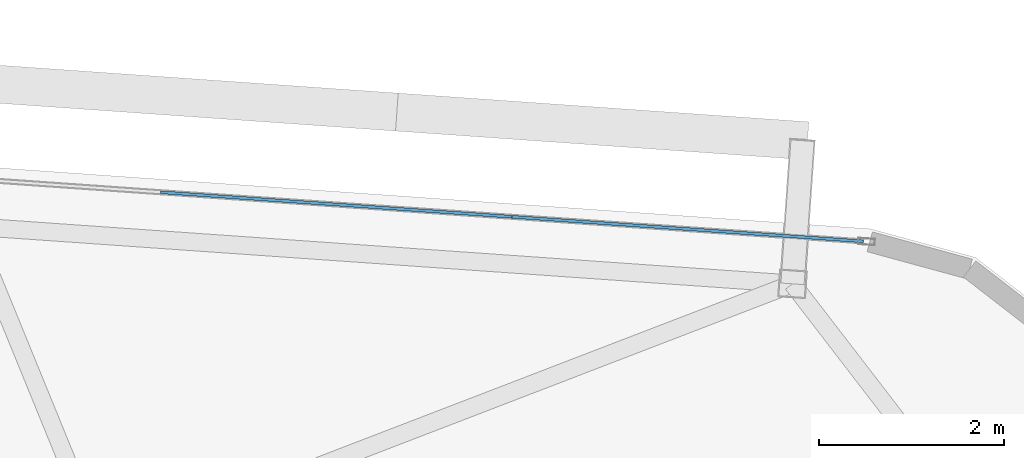
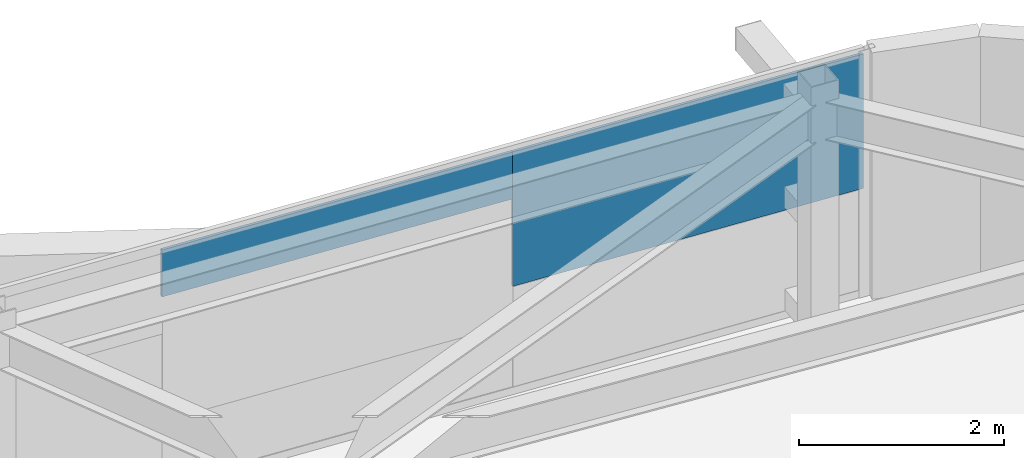
# One storey, part 26 of 39: 2 plates, 1 element without a shape of its own.
"""IFC4 building model written with IfcOpenShell, lengths in metres."""

from ifc_helpers import new_model, si_unit, direction, frame, origin, origin_2d, place, context, subcontext, project, spatial, rectangle, extrude, source, transform, mapped, material, layer, layer_set, type_object, element, aggregate, save


model = new_model("IFC4")

# Units and contexts
model_context = context("Model", 3, precision=1e-05, world=origin(), true_north=direction((0.0, 1.0)))
body_context = subcontext(model_context, "Body", "Model", "MODEL_VIEW")
ifc_project = project(units=[si_unit("LENGTHUNIT", "METRE"), si_unit("AREAUNIT", "SQUARE_METRE"), si_unit("VOLUMEUNIT", "CUBIC_METRE"), si_unit("PLANEANGLEUNIT", "RADIAN"), si_unit("MASSUNIT", "GRAM", prefix="KILO")], contexts=[model_context])

# Site, building, storey
site_placement = place(None, origin())
site = spatial("IfcSite", under=ifc_project, at=site_placement, CompositionType="ELEMENT")
building_placement = place(site_placement, origin())
building = spatial("IfcBuilding", under=site, at=building_placement, Name="Taldren Reach Tower", CompositionType="ELEMENT")
storey_placement = place(building_placement, frame((0.0, 0.0, 155.050048828125)))
storey = spatial("IfcBuildingStorey", under=building, at=storey_placement, Name="L47", CompositionType="ELEMENT", Elevation=155.050048828125)

# Curtain wall, plates
ifc_material_1 = material(Name="Aluminium and Low-E Glass Unitised System", Category="aluminium")
ifc_layer_1 = layer(ifc_material_1, 0.159912109375)
ifc_layer_set_1 = layer_set([ifc_layer_1], Name="Aluminium and Low-E Glass Unitised System")
curtain_wall_type = type_object("IfcCurtainWallType", Name="CW-SYS-4", PredefinedType="NOTDEFINED", material=ifc_layer_set_1)
curtain_wall_placement = place(storey_placement, origin())
curtain_wall = element("IfcCurtainWall", 1, at=curtain_wall_placement, inside=storey, type_object=curtain_wall_type, Name="Unitised curtain wall CW-L47-N", PredefinedType="NOTDEFINED")
ifc_material_2 = material(Name="Solar-Control Double Glazed IGU", Category="glass")
ifc_layer_2 = layer(ifc_material_2, 0.031982421875)
ifc_layer_set_2 = layer_set([ifc_layer_2], Name="Solar-Control Double Glazed IGU")
plate_type = type_object("IfcPlateType", Name="CW-PNL-IGU32", PredefinedType="CURTAIN_PANEL", material=ifc_layer_set_2)
shared_shape_1 = source(origin(), body_context, "Body", "SweptSolid", [
    extrude(rectangle(XDim=3.79833984375, YDim=0.031982421875, at=origin_2d()), origin(), (0.0, 0.0, 1.0), 1.597900390625),
])
plate_1_placement = place(storey_placement, frame((57.3056640625, 35.451904296875, 1.27685546875), z_axis=(0.0, 0.0, 1.0), x_axis=(-0.99756404731, 0.06975651593, 0.0)))
plate_1 = element("IfcPlate", 2, at=plate_1_placement, type_object=plate_type, Name="CW-4 panel 1.1 part 1", PredefinedType="CURTAIN_PANEL", context=body_context, shape_type="MappedRepresentation", body=[
    mapped(shared_shape_1, transform((0.0, 0.0, 0.0), scale=1.0)),
])
shared_shape_2 = source(origin(), body_context, "Body", "SweptSolid", [
    extrude(rectangle(XDim=3.79833984375, YDim=0.031982421875, at=origin_2d()), origin(), (0.0, 0.0, 1.0), 0.558349609375),
])
plate_2_placement = place(storey_placement, frame((53.5166015625, 35.716796875, 2.31640625), z_axis=(0.0, 0.0, 1.0), x_axis=(-0.99756404731, 0.06975651593, 0.0)))
plate_2 = element("IfcPlate", 3, at=plate_2_placement, type_object=plate_type, Name="CW-4 panel 1.1 part 3", PredefinedType="CURTAIN_PANEL", context=body_context, shape_type="MappedRepresentation", body=[
    mapped(shared_shape_2, transform((0.0, 0.0, 0.0), scale=1.0)),
])
aggregate(curtain_wall, [plate_1, plate_2])

save(model, "model.ifc")
